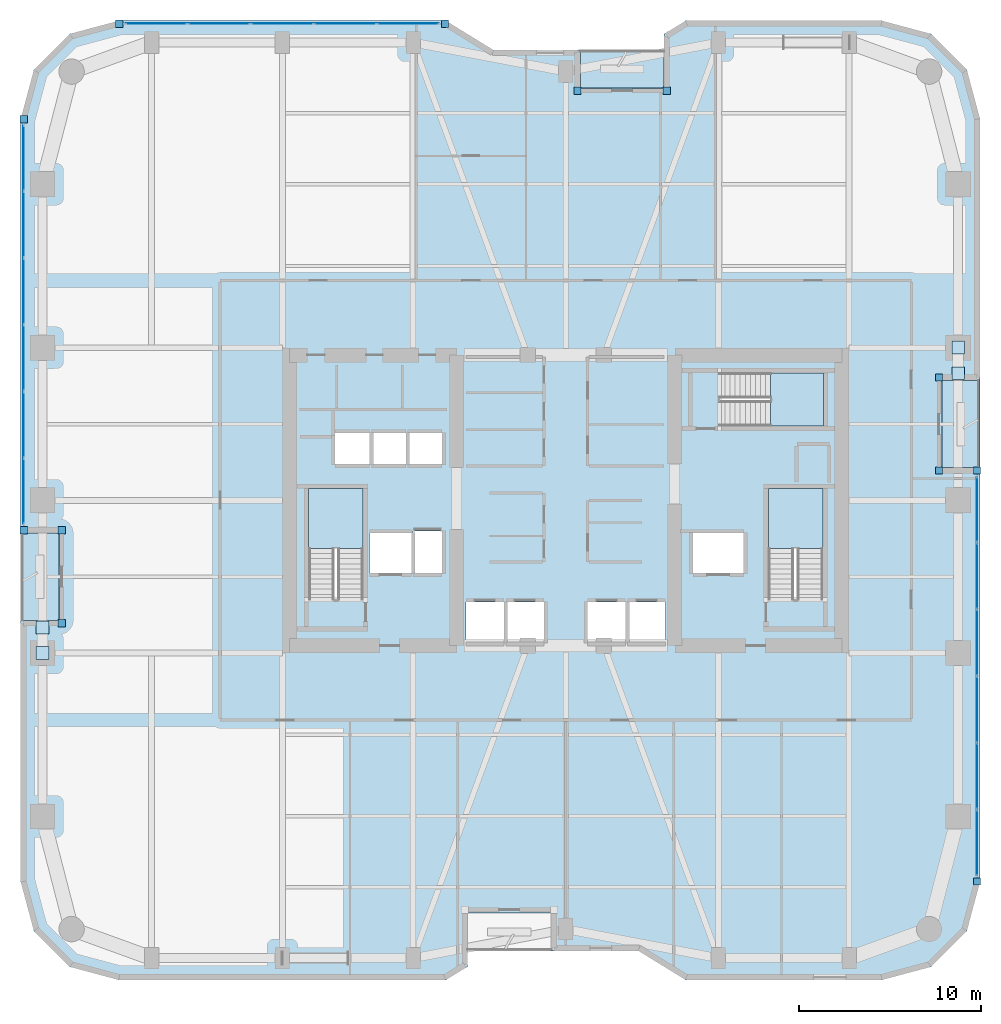
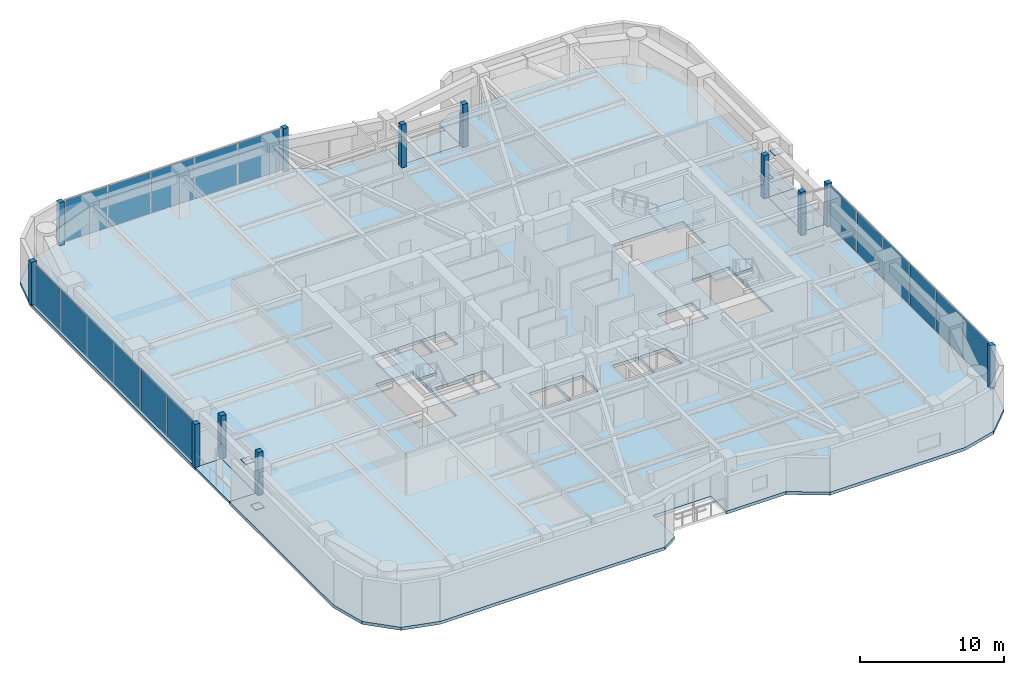
# One storey, part 16 of 24: 33 plates, 7 slabs, 6 elements without a shape of their own.
"""IFC4 building model written with IfcOpenShell, lengths in metres."""

from ifc_helpers import new_model, si_unit, direction, frame, origin, origin_2d, place, context, subcontext, project, spatial, polyline, rectangle, outline, extrude, material, layer, layer_set, type_object, element, aggregate, save


model = new_model("IFC4")

# Units and contexts
model_context = context("Model", 3, precision=1e-05, world=origin(), true_north=direction((0.0, 1.0)))
body_context = subcontext(model_context, "Body", "Model", "MODEL_VIEW")
ifc_project = project(units=[si_unit("LENGTHUNIT", "METRE"), si_unit("AREAUNIT", "SQUARE_METRE"), si_unit("VOLUMEUNIT", "CUBIC_METRE"), si_unit("PLANEANGLEUNIT", "RADIAN"), si_unit("MASSUNIT", "GRAM", prefix="KILO")], contexts=[model_context])

# Site, building, storey
site_placement = place(None, origin())
site = spatial("IfcSite", under=ifc_project, at=site_placement, CompositionType="ELEMENT")
building_placement = place(site_placement, origin())
building = spatial("IfcBuilding", under=site, at=building_placement, Name="Kiyonajd Concourse Tower", CompositionType="ELEMENT")
storey_placement = place(building_placement, frame((0.0, 0.0, 101.39990234375)))
storey = spatial("IfcBuildingStorey", under=building, at=storey_placement, Name="L26", CompositionType="ELEMENT", Elevation=101.39990234375)

# Plates
ifc_material_1 = material(Name="Steel ASTM A572 Grade 50", Category="steel")
ifc_layer_1 = layer(ifc_material_1, 0.028076171875)
ifc_layer_set_1 = layer_set([ifc_layer_1], Name="Steel ASTM A572 Grade 50")
plate_type_1 = type_object("IfcPlateType", Name="PL-CAP-450", PredefinedType="USERDEFINED", material=ifc_layer_set_1)
for number, where, z_axis, x_axis, name in (
    (1, (19.199951171875, 27.59521484375, 0.27587890625), (0.0, 0.0, 1.0), (1.0, 0.0, 0.0), "L26 Hollow Brace End Cap Plate PBW"),
    (2, (19.199951171875, 29.004638671875, 3.2861328125), (0.0, 0.0, 1.0), (1.0, 0.0, 0.0), "L26 Hollow Brace Top Cap Plate PBW"),
    (3, (69.60009765625, 44.40478515625, 0.27587890625), (0.0, 0.0, 1.0), (1.0, 0.0, 0.0), "L26 Hollow Brace End Cap Plate PBE"),
    (4, (69.60009765625, 42.995361328125, 3.2861328125), (0.0, 0.0, 1.0), (1.0, 0.0, 0.0), "L26 Hollow Brace Top Cap Plate PBE"),
):
    element("IfcPlate", number, at=place(storey_placement, frame(where, z_axis=z_axis, x_axis=x_axis)), inside=storey, type_object=plate_type_1, Name=name, ObjectType="CAP PLATE", PredefinedType="USERDEFINED", context=body_context, shape_type="SweptSolid", body=[
        extrude(rectangle(XDim=0.7099609375, YDim=0.7099609375, at=origin_2d()), origin(), (0.0, 0.0, 1.0), 0.028076171875),
    ])

# Curtain wall, plates
ifc_material_2 = material(Name="Thermally Broken Anodised Aluminium", Category="aluminium")
ifc_layer_2 = layer(ifc_material_2, 0.179931640625)
ifc_layer_set_2 = layer_set([ifc_layer_2], Name="Thermally Broken Anodised Aluminium")
curtain_wall_type = type_object("IfcCurtainWallType", Name="CW-SYS-03", PredefinedType="NOTDEFINED", material=ifc_layer_set_2)
curtain_wall_1_placement = place(storey_placement, origin())
curtain_wall_1 = element("IfcCurtainWall", 5, at=curtain_wall_1_placement, inside=storey, type_object=curtain_wall_type, Name="L26 Unitised Curtain Wall CW3", PredefinedType="NOTDEFINED")
ifc_material_3 = material(Name="Double Low-E Insulated Glass", Category="glass")
ifc_layer_3 = layer(ifc_material_3, 0.033935546875)
ifc_layer_set_3 = layer_set([ifc_layer_3], Name="Double Low-E Insulated Glass")
plate_type_2 = type_object("IfcPlateType", Name="PL-CW-VIS34", PredefinedType="CURTAIN_PANEL", material=ifc_layer_set_3)
plate_1_placement = place(storey_placement, frame((18.159912109375, 36.5029296875, 0.06494140625), z_axis=(0.0, 0.0, 1.0), x_axis=(0.0, 1.0, 0.0)))
plate_1 = element("IfcPlate", 6, at=plate_1_placement, type_object=plate_type_2, Name="CW3 panel 1.1", PredefinedType="CURTAIN_PANEL", context=body_context, shape_type="SweptSolid", body=[
    extrude(rectangle(XDim=3.57568359375, YDim=0.033935546875, at=origin_2d()), origin(), (0.0, 0.0, 1.0), 3.510009765625),
])
plate_2_placement = place(storey_placement, frame((18.159912109375, 40.15966796875, 0.06494140625), z_axis=(0.0, 0.0, 1.0), x_axis=(0.0, 1.0, 0.0)))
plate_2 = element("IfcPlate", 7, at=plate_2_placement, type_object=plate_type_2, Name="CW3 panel 2.1", PredefinedType="CURTAIN_PANEL", context=body_context, shape_type="SweptSolid", body=[
    extrude(rectangle(XDim=3.608154296875, YDim=0.033935546875, at=origin_2d()), origin(), (0.0, 0.0, 1.0), 3.510009765625),
])
plate_3_placement = place(storey_placement, frame((18.159912109375, 43.832763671875, 0.06494140625), z_axis=(0.0, 0.0, 1.0), x_axis=(0.0, 1.0, 0.0)))
plate_3 = element("IfcPlate", 8, at=plate_3_placement, type_object=plate_type_2, Name="CW3 panel 3.1", PredefinedType="CURTAIN_PANEL", context=body_context, shape_type="SweptSolid", body=[
    extrude(rectangle(XDim=3.608154296875, YDim=0.033935546875, at=origin_2d()), origin(), (0.0, 0.0, 1.0), 3.510009765625),
])
plate_4_placement = place(storey_placement, frame((18.159912109375, 47.506103515625, 0.06494140625), z_axis=(0.0, 0.0, 1.0), x_axis=(0.0, 1.0, 0.0)))
plate_4 = element("IfcPlate", 9, at=plate_4_placement, type_object=plate_type_2, Name="CW3 panel 4.1", PredefinedType="CURTAIN_PANEL", context=body_context, shape_type="SweptSolid", body=[
    extrude(rectangle(XDim=3.608154296875, YDim=0.033935546875, at=origin_2d()), origin(), (0.0, 0.0, 1.0), 3.510009765625),
])
plate_5_placement = place(storey_placement, frame((18.159912109375, 51.17919921875, 0.06494140625), z_axis=(0.0, 0.0, 1.0), x_axis=(0.0, 1.0, 0.0)))
plate_5 = element("IfcPlate", 10, at=plate_5_placement, type_object=plate_type_2, Name="CW3 panel 5.1", PredefinedType="CURTAIN_PANEL", context=body_context, shape_type="SweptSolid", body=[
    extrude(rectangle(XDim=3.608154296875, YDim=0.033935546875, at=origin_2d()), origin(), (0.0, 0.0, 1.0), 3.510009765625),
])
plate_6_placement = place(storey_placement, frame((18.159912109375, 54.836181640625, 0.06494140625), z_axis=(0.0, 0.0, 1.0), x_axis=(0.0, 1.0, 0.0)))
plate_6 = element("IfcPlate", 11, at=plate_6_placement, type_object=plate_type_2, Name="CW3 panel 6.1", PredefinedType="CURTAIN_PANEL", context=body_context, shape_type="SweptSolid", body=[
    extrude(rectangle(XDim=3.57568359375, YDim=0.033935546875, at=origin_2d()), origin(), (0.0, 0.0, 1.0), 3.510009765625),
])
aggregate(curtain_wall_1, [plate_1, plate_2, plate_3, plate_4, plate_5, plate_6])

curtain_wall_2_placement = place(storey_placement, origin())
curtain_wall_2 = element("IfcCurtainWall", 12, at=curtain_wall_2_placement, inside=storey, type_object=curtain_wall_type, Name="L26 Unitised Curtain Wall CW3", PredefinedType="NOTDEFINED")
plate_7_placement = place(storey_placement, frame((25.462646484375, 62.239990234375, 0.06494140625), z_axis=(0.0, 0.0, 1.0), x_axis=(1.0, 0.0, 0.0)))
plate_7 = element("IfcPlate", 13, at=plate_7_placement, type_object=plate_type_2, Name="CW3 panel 1.1", PredefinedType="CURTAIN_PANEL", context=body_context, shape_type="SweptSolid", body=[
    extrude(rectangle(XDim=3.373291015625, YDim=0.033935546875, at=origin_2d()), origin(), (0.0, 0.0, 1.0), 3.510009765625),
])
plate_8_placement = place(storey_placement, frame((28.917236328125, 62.239990234375, 0.06494140625), z_axis=(0.0, 0.0, 1.0), x_axis=(1.0, 0.0, 0.0)))
plate_8 = element("IfcPlate", 14, at=plate_8_placement, type_object=plate_type_2, Name="CW3 panel 2.1", PredefinedType="CURTAIN_PANEL", context=body_context, shape_type="SweptSolid", body=[
    extrude(rectangle(XDim=3.40576171875, YDim=0.033935546875, at=origin_2d()), origin(), (0.0, 0.0, 1.0), 3.510009765625),
])
plate_9_placement = place(storey_placement, frame((32.387939453125, 62.239990234375, 0.06494140625), z_axis=(0.0, 0.0, 1.0), x_axis=(1.0, 0.0, 0.0)))
plate_9 = element("IfcPlate", 15, at=plate_9_placement, type_object=plate_type_2, Name="CW3 panel 3.1", PredefinedType="CURTAIN_PANEL", context=body_context, shape_type="SweptSolid", body=[
    extrude(rectangle(XDim=3.40576171875, YDim=0.033935546875, at=origin_2d()), origin(), (0.0, 0.0, 1.0), 3.510009765625),
])
plate_10_placement = place(storey_placement, frame((35.858642578125, 62.239990234375, 0.06494140625), z_axis=(0.0, 0.0, 1.0), x_axis=(1.0, 0.0, 0.0)))
plate_10 = element("IfcPlate", 16, at=plate_10_placement, type_object=plate_type_2, Name="CW3 panel 4.1", PredefinedType="CURTAIN_PANEL", context=body_context, shape_type="SweptSolid", body=[
    extrude(rectangle(XDim=3.40576171875, YDim=0.033935546875, at=origin_2d()), origin(), (0.0, 0.0, 1.0), 3.510009765625),
])
plate_11_placement = place(storey_placement, frame((39.31298828125, 62.239990234375, 0.06494140625), z_axis=(0.0, 0.0, 1.0), x_axis=(1.0, 0.0, 0.0)))
plate_11 = element("IfcPlate", 17, at=plate_11_placement, type_object=plate_type_2, Name="CW3 panel 5.1", PredefinedType="CURTAIN_PANEL", context=body_context, shape_type="SweptSolid", body=[
    extrude(rectangle(XDim=3.373291015625, YDim=0.033935546875, at=origin_2d()), origin(), (0.0, 0.0, 1.0), 3.510009765625),
])
aggregate(curtain_wall_2, [plate_7, plate_8, plate_9, plate_10, plate_11])

curtain_wall_3_placement = place(storey_placement, origin())
curtain_wall_3 = element("IfcCurtainWall", 18, at=curtain_wall_3_placement, inside=storey, type_object=curtain_wall_type, Name="L26 Unitised Curtain Wall CW3", PredefinedType="NOTDEFINED")
plate_12_placement = place(storey_placement, frame((70.639892578125, 35.4970703125, 0.06494140625), z_axis=(0.0, 0.0, 1.0), x_axis=(0.0, -1.0, 0.0)))
plate_12 = element("IfcPlate", 19, at=plate_12_placement, type_object=plate_type_2, Name="CW3 panel 1.1", PredefinedType="CURTAIN_PANEL", context=body_context, shape_type="SweptSolid", body=[
    extrude(rectangle(XDim=3.57568359375, YDim=0.033935546875, at=origin_2d()), origin(), (0.0, 0.0, 1.0), 3.510009765625),
])
plate_13_placement = place(storey_placement, frame((70.639892578125, 31.84033203125, 0.06494140625), z_axis=(0.0, 0.0, 1.0), x_axis=(0.0, -1.0, 0.0)))
plate_13 = element("IfcPlate", 20, at=plate_13_placement, type_object=plate_type_2, Name="CW3 panel 2.1", PredefinedType="CURTAIN_PANEL", context=body_context, shape_type="SweptSolid", body=[
    extrude(rectangle(XDim=3.608154296875, YDim=0.033935546875, at=origin_2d()), origin(), (0.0, 0.0, 1.0), 3.510009765625),
])
plate_14_placement = place(storey_placement, frame((70.639892578125, 28.167236328125, 0.06494140625), z_axis=(0.0, 0.0, 1.0), x_axis=(0.0, -1.0, 0.0)))
plate_14 = element("IfcPlate", 21, at=plate_14_placement, type_object=plate_type_2, Name="CW3 panel 3.1", PredefinedType="CURTAIN_PANEL", context=body_context, shape_type="SweptSolid", body=[
    extrude(rectangle(XDim=3.608154296875, YDim=0.033935546875, at=origin_2d()), origin(), (0.0, 0.0, 1.0), 3.510009765625),
])
plate_15_placement = place(storey_placement, frame((70.639892578125, 24.493896484375, 0.06494140625), z_axis=(0.0, 0.0, 1.0), x_axis=(0.0, -1.0, 0.0)))
plate_15 = element("IfcPlate", 22, at=plate_15_placement, type_object=plate_type_2, Name="CW3 panel 4.1", PredefinedType="CURTAIN_PANEL", context=body_context, shape_type="SweptSolid", body=[
    extrude(rectangle(XDim=3.608154296875, YDim=0.033935546875, at=origin_2d()), origin(), (0.0, 0.0, 1.0), 3.510009765625),
])
plate_16_placement = place(storey_placement, frame((70.639892578125, 20.82080078125, 0.06494140625), z_axis=(0.0, 0.0, 1.0), x_axis=(0.0, -1.0, 0.0)))
plate_16 = element("IfcPlate", 23, at=plate_16_placement, type_object=plate_type_2, Name="CW3 panel 5.1", PredefinedType="CURTAIN_PANEL", context=body_context, shape_type="SweptSolid", body=[
    extrude(rectangle(XDim=3.608154296875, YDim=0.033935546875, at=origin_2d()), origin(), (0.0, 0.0, 1.0), 3.510009765625),
])
plate_17_placement = place(storey_placement, frame((70.639892578125, 17.163818359375, 0.06494140625), z_axis=(0.0, 0.0, 1.0), x_axis=(0.0, -1.0, 0.0)))
plate_17 = element("IfcPlate", 24, at=plate_17_placement, type_object=plate_type_2, Name="CW3 panel 6.1", PredefinedType="CURTAIN_PANEL", context=body_context, shape_type="SweptSolid", body=[
    extrude(rectangle(XDim=3.57568359375, YDim=0.033935546875, at=origin_2d()), origin(), (0.0, 0.0, 1.0), 3.510009765625),
])
aggregate(curtain_wall_3, [plate_12, plate_13, plate_14, plate_15, plate_16, plate_17])

# Plates
ifc_layer_4 = layer(ifc_material_2, 0.39990234375)
ifc_layer_set_4 = layer_set([ifc_layer_4], Name="Thermally Broken Anodised Aluminium")
plate_type_3 = type_object("IfcPlateType", Name="PL-JMB-400", PredefinedType="USERDEFINED", material=ifc_layer_set_4)
for number, where, z_axis, x_axis, name in (
    (25, (20.260009765625, 29.239990234375, 0.0), (0.0, 0.0, 1.0), (1.0, 0.0, 0.0), "L26 Facade Jamb Closure Plate 01"),
    (26, (20.260009765625, 34.360107421875, 0.0), (0.0, 0.0, 1.0), (1.0, 0.0, 0.0), "L26 Facade Jamb Closure Plate 02"),
    (27, (18.159912109375, 34.360107421875, 0.0), (0.0, 0.0, 1.0), (1.0, 0.0, 0.0), "L26 Facade Jamb Closure Plate 03"),
    (28, (18.159912109375, 56.97900390625, 0.0), (0.0, 0.0, 1.0), (1.0, 0.0, 0.0), "L26 Facade Jamb Closure Plate 04"),
    (29, (23.421142578125, 62.239990234375, 0.0), (0.0, 0.0, 1.0), (1.0, 0.0, 0.0), "L26 Facade Jamb Closure Plate 05"),
    (30, (41.354736328125, 62.239990234375, 0.0), (0.0, 0.0, 1.0), (1.0, 0.0, 0.0), "L26 Facade Jamb Closure Plate 06"),
    (31, (48.639892578125, 58.5400390625, 0.0), (0.0, 0.0, 1.0), (1.0, 0.0, 0.0), "L26 Facade Jamb Closure Plate 07"),
    (32, (53.56005859375, 58.5400390625, 0.0), (0.0, 0.0, 1.0), (1.0, 0.0, 0.0), "L26 Facade Jamb Closure Plate 08"),
    (33, (68.5400390625, 42.760009765625, 0.0), (0.0, 0.0, 1.0), (1.0, 0.0, 0.0), "L26 Facade Jamb Closure Plate 09"),
    (34, (68.5400390625, 37.639892578125, 0.0), (0.0, 0.0, 1.0), (1.0, 0.0, 0.0), "L26 Facade Jamb Closure Plate 10"),
    (35, (70.639892578125, 37.639892578125, 0.0), (0.0, 0.0, 1.0), (1.0, 0.0, 0.0), "L26 Facade Jamb Closure Plate 11"),
    (36, (70.639892578125, 15.02099609375, 0.0), (0.0, 0.0, 1.0), (1.0, 0.0, 0.0), "L26 Facade Jamb Closure Plate 12"),
):
    element("IfcPlate", number, at=place(storey_placement, frame(where, z_axis=z_axis, x_axis=x_axis)), inside=storey, type_object=plate_type_3, Name=name, ObjectType="JAMB PLATE", PredefinedType="USERDEFINED", context=body_context, shape_type="SweptSolid", body=[
        extrude(rectangle(XDim=0.39990234375, YDim=0.39990234375, at=origin_2d()), origin(), (0.0, 0.0, 1.0), 3.639892578125),
    ])

# Stair, slab
ifc_material_4 = material(Name="Concrete C40/50", Category="concrete")
stair_type = type_object("IfcStairType", Name="ST-DLG-22R", PredefinedType="HALF_TURN_STAIR", material=ifc_material_4)
stair_1_placement = place(storey_placement, origin())
stair_1 = element("IfcStair", 37, at=stair_1_placement, inside=storey, type_object=stair_type, Name="L26 Protected Exit Stair ST1", PredefinedType="HALF_TURN_STAIR")
ifc_layer_5 = layer(ifc_material_4, 0.199951171875)
ifc_layer_set_5 = layer_set([ifc_layer_5], Name="Concrete C40/50")
slab_type_1 = type_object("IfcSlabType", Name="SL-LND-200", PredefinedType="LANDING", material=ifc_layer_set_5)
slab_1_placement = place(storey_placement, frame((0.0, 0.0, 1.75)))
slab_1 = element("IfcSlab", 38, at=slab_1_placement, type_object=slab_type_1, Name="ST1 landing 1", PredefinedType="LANDING", context=body_context, shape_type="SweptSolid", body=[
    extrude(outline(polyline([(36.85009765625, 33.35009765625), (36.85009765625, 36.64990234375), (33.85009765625, 36.64990234375), (33.85009765625, 33.35009765625), (36.85009765625, 33.35009765625)])), origin(), (0.0, 0.0, 1.0), 0.2001953125),
])
aggregate(stair_1, [slab_1])

stair_2_placement = place(storey_placement, origin())
stair_2 = element("IfcStair", 39, at=stair_2_placement, inside=storey, type_object=stair_type, Name="L26 Protected Exit Stair ST2", PredefinedType="HALF_TURN_STAIR")
slab_2_placement = place(storey_placement, frame((0.0, 0.0, 1.75)))
slab_2 = element("IfcSlab", 40, at=slab_2_placement, type_object=slab_type_1, Name="ST2 landing 1", PredefinedType="LANDING", context=body_context, shape_type="SweptSolid", body=[
    extrude(outline(polyline([(62.14990234375, 33.35009765625), (62.14990234375, 36.64990234375), (59.14990234375, 36.64990234375), (59.14990234375, 33.35009765625), (62.14990234375, 33.35009765625)])), origin(), (0.0, 0.0, 1.0), 0.2001953125),
])
aggregate(stair_2, [slab_2])

stair_3_placement = place(storey_placement, origin())
stair_3 = element("IfcStair", 41, at=stair_3_placement, inside=storey, type_object=stair_type, Name="L26 Protected Exit Stair ST3", PredefinedType="HALF_TURN_STAIR")
slab_3_placement = place(storey_placement, frame((0.0, 0.0, 1.75)))
slab_3 = element("IfcSlab", 42, at=slab_3_placement, type_object=slab_type_1, Name="ST3 landing 1", PredefinedType="LANDING", context=body_context, shape_type="SweptSolid", body=[
    extrude(outline(polyline([(59.280029296875, 40.080078125), (62.179931640625, 40.080078125), (62.179931640625, 43.02001953125), (59.280029296875, 43.02001953125), (59.280029296875, 40.080078125)])), origin(), (0.0, 0.0, 1.0), 0.2001953125),
])
aggregate(stair_3, [slab_3])

# Slabs
ifc_material_5 = material(Name="Precast concrete C50/60", Category="concrete")
ifc_layer_6 = layer(ifc_material_5, 0.199951171875)
ifc_layer_set_6 = layer_set([ifc_layer_6], Name="Precast concrete C50/60")
slab_type_2 = type_object("IfcSlabType", Name="SL-LOG-200", PredefinedType="FLOOR", material=ifc_layer_set_6)
slab_4_placement = place(storey_placement, frame((0.0, 0.0, -0.199951171875)))
element("IfcSlab", 43, at=slab_4_placement, inside=storey, type_object=slab_type_2, Name="L26 Recessed Engawa Loggia Terrace Slab LOG-N", PredefinedType="FLOOR", context=body_context, shape_type="SweptSolid", body=[
    extrude(outline(polyline([(48.800048828125, 58.699951171875), (53.39990234375, 58.699951171875), (53.39990234375, 60.800048828125), (48.800048828125, 60.800048828125), (48.800048828125, 58.699951171875)])), origin(), (0.0, 0.0, 1.0), 0.199951171875),
])
slab_5_placement = place(storey_placement, frame((0.0, 0.0, -0.199951171875)))
element("IfcSlab", 44, at=slab_5_placement, inside=storey, type_object=slab_type_2, Name="L26 Recessed Engawa Loggia Terrace Slab LOG-W", PredefinedType="FLOOR", context=body_context, shape_type="SweptSolid", body=[
    extrude(outline(polyline([(18.0, 29.39990234375), (20.10009765625, 29.39990234375), (20.10009765625, 34.199951171875), (18.0, 34.199951171875), (18.0, 29.39990234375)])), origin(), (0.0, 0.0, 1.0), 0.199951171875),
])
slab_6_placement = place(storey_placement, frame((0.0, 0.0, -0.199951171875)))
element("IfcSlab", 45, at=slab_6_placement, inside=storey, type_object=slab_type_2, Name="L26 Recessed Engawa Loggia Terrace Slab LOG-E", PredefinedType="FLOOR", context=body_context, shape_type="SweptSolid", body=[
    extrude(outline(polyline([(68.699951171875, 37.800048828125), (70.800048828125, 37.800048828125), (70.800048828125, 42.60009765625), (68.699951171875, 42.60009765625), (68.699951171875, 37.800048828125)])), origin(), (0.0, 0.0, 1.0), 0.199951171875),
])
ifc_layer_7 = layer(ifc_material_4, 0.260009765625)
ifc_layer_set_7 = layer_set([ifc_layer_7], Name="Concrete C40/50")
slab_type_3 = type_object("IfcSlabType", Name="SL-TWR-260", PredefinedType="FLOOR", material=ifc_layer_set_7)
slab_7_placement = place(storey_placement, frame((0.0, 0.0, -0.260009765625)))
element("IfcSlab", 46, at=slab_7_placement, inside=storey, type_object=slab_type_3, Name="L26 Tower Conditioned Floor Slab", PredefinedType="FLOOR", context=body_context, shape_type="SweptSolid", body=[
    extrude(outline(polyline([(18.722900390625, 12.300048828125), (18.0, 15.0), (18.0, 29.39990234375), (20.10009765625, 29.39990234375), (20.10009765625, 34.199951171875), (18.0, 34.199951171875), (18.0, 57.0), (18.722900390625, 59.699951171875), (20.699951171875, 61.677001953125), (23.39990234375, 62.39990234375), (41.39990234375, 62.39990234375), (44.0, 60.800048828125), (48.800048828125, 60.800048828125), (48.800048828125, 58.699951171875), (53.39990234375, 58.699951171875), (53.39990234375, 61.662109375), (54.60009765625, 62.39990234375), (65.39990234375, 62.39990234375), (68.10009765625, 61.677001953125), (70.076904296875, 59.699951171875), (70.800048828125, 57.0), (70.800048828125, 42.60009765625), (68.699951171875, 42.60009765625), (68.699951171875, 37.800048828125), (70.800048828125, 37.800048828125), (70.800048828125, 15.0), (70.076904296875, 12.300048828125), (68.10009765625, 10.322998046875), (65.39990234375, 9.60009765625), (54.60009765625, 9.60009765625), (52.0, 11.199951171875), (47.199951171875, 11.199951171875), (47.199951171875, 13.300048828125), (42.60009765625, 13.300048828125), (42.60009765625, 10.337890625), (41.39990234375, 9.60009765625), (23.39990234375, 9.60009765625), (20.699951171875, 10.322998046875), (18.722900390625, 12.300048828125)]), holes=[polyline([(44.60009765625, 28.199951171875), (42.5, 28.199951171875), (42.5, 30.39990234375), (44.60009765625, 30.39990234375), (44.60009765625, 28.199951171875)]), polyline([(37.199951171875, 32.0), (37.199951171875, 34.199951171875), (39.5, 34.199951171875), (39.5, 32.0), (37.199951171875, 32.0)]), polyline([(39.60009765625, 32.0), (39.60009765625, 34.300048828125), (41.199951171875, 34.300048828125), (41.199951171875, 32.0), (39.60009765625, 32.0)]), polyline([(36.85009765625, 30.550048828125), (33.85009765625, 30.550048828125), (33.85009765625, 36.64990234375), (36.85009765625, 36.64990234375), (36.85009765625, 30.550048828125)]), polyline([(35.300048828125, 38.0), (35.300048828125, 39.699951171875), (37.199951171875, 39.699951171875), (37.199951171875, 38.0), (35.300048828125, 38.0)]), polyline([(37.300048828125, 38.0), (37.300048828125, 39.699951171875), (39.199951171875, 39.699951171875), (39.199951171875, 38.0), (37.300048828125, 38.0)]), polyline([(41.199951171875, 38.0), (39.300048828125, 38.0), (39.300048828125, 39.699951171875), (41.199951171875, 39.699951171875), (41.199951171875, 38.0)]), polyline([(44.699951171875, 28.199951171875), (44.699951171875, 30.39990234375), (46.800048828125, 30.39990234375), (46.800048828125, 28.199951171875), (44.699951171875, 28.199951171875)]), polyline([(49.199951171875, 28.199951171875), (49.199951171875, 30.39990234375), (51.300048828125, 30.39990234375), (51.300048828125, 28.199951171875), (49.199951171875, 28.199951171875)]), polyline([(51.39990234375, 28.199951171875), (51.39990234375, 30.39990234375), (53.5, 30.39990234375), (53.5, 28.199951171875), (51.39990234375, 28.199951171875)]), polyline([(55.0, 32.0), (55.0, 34.199951171875), (57.800048828125, 34.199951171875), (57.800048828125, 32.0), (55.0, 32.0)]), polyline([(59.14990234375, 30.550048828125), (59.14990234375, 36.64990234375), (62.14990234375, 36.64990234375), (62.14990234375, 30.550048828125), (59.14990234375, 30.550048828125)]), polyline([(56.47998046875, 43.02001953125), (62.179931640625, 43.02001953125), (62.179931640625, 40.080078125), (56.47998046875, 40.080078125), (56.47998046875, 43.02001953125)])]), origin(), (0.0, 0.0, 1.0), 0.260009765625),
])

save(model, "model.ifc")
